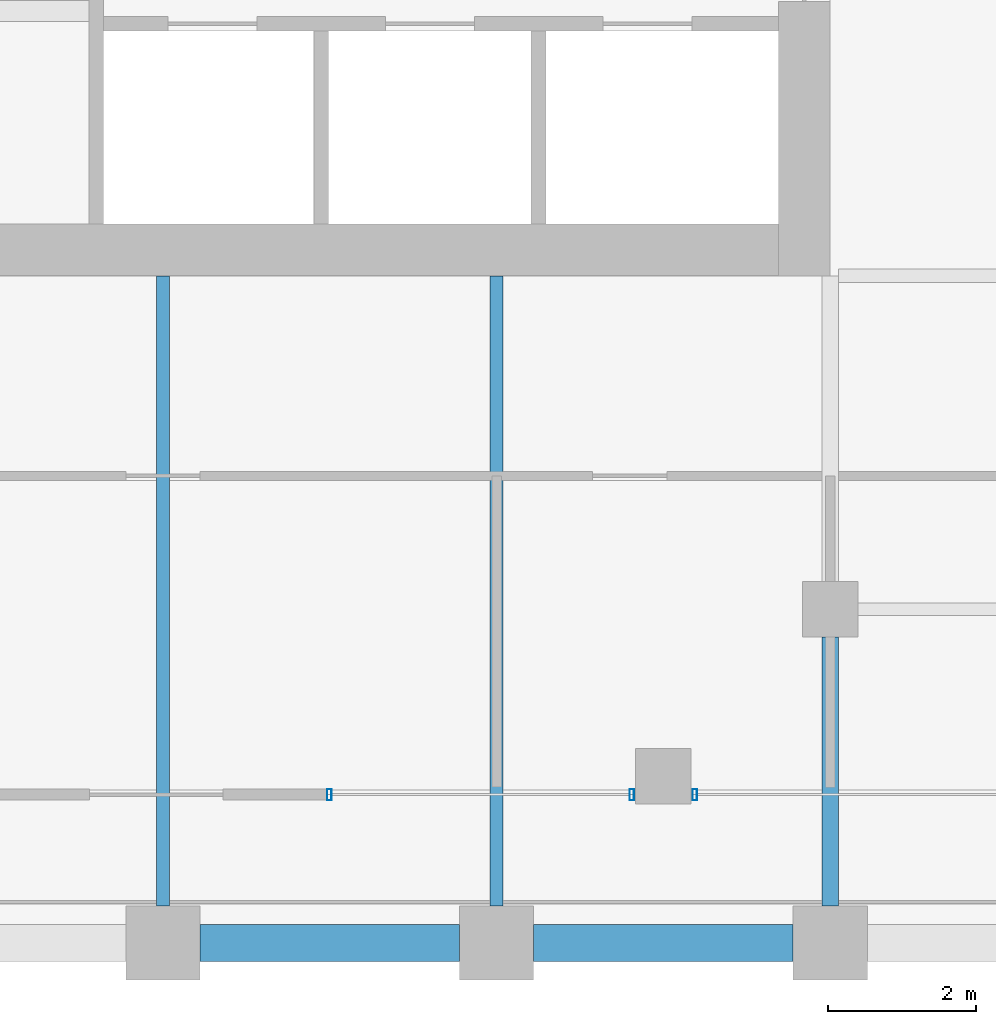
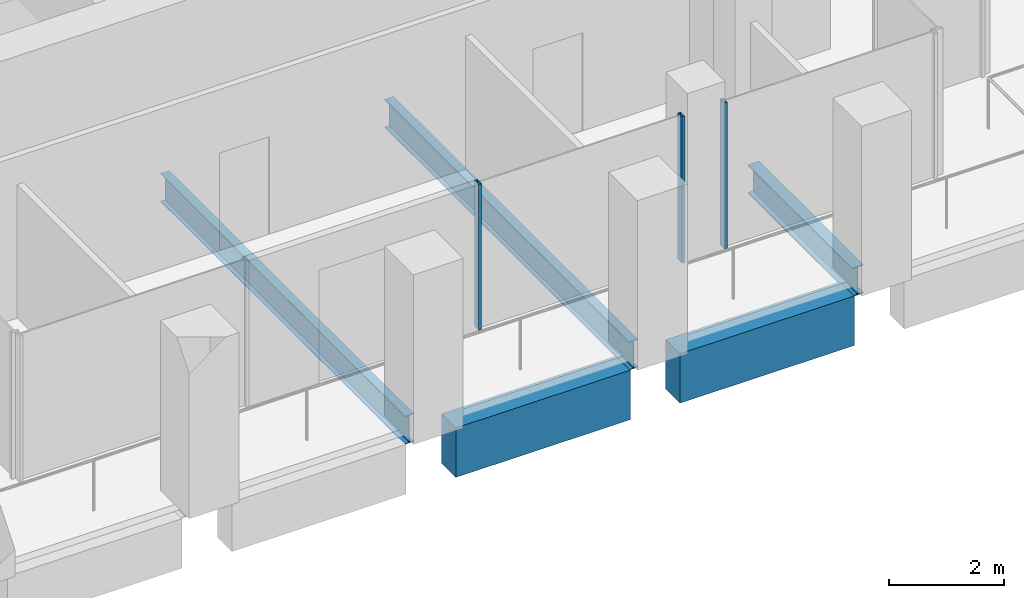
# One storey, part 31 of 47: 5 beams, 3 members, 2 elements without a shape of their own.
"""IFC4 building model written with IfcOpenShell, lengths in metres."""

from ifc_helpers import new_model, si_unit, direction, frame, origin, origin_2d, place, context, subcontext, project, spatial, rectangle, hollow_rectangle, i_section, extrude, material, material_profile, profile_set, type_object, element, aggregate, save


model = new_model("IFC4")

# Units and contexts
model_context = context("Model", 3, precision=1e-05, world=origin(), true_north=direction((0.0, 1.0)))
body_context = subcontext(model_context, "Body", "Model", "MODEL_VIEW")
ifc_project = project(units=[si_unit("LENGTHUNIT", "METRE"), si_unit("AREAUNIT", "SQUARE_METRE"), si_unit("VOLUMEUNIT", "CUBIC_METRE"), si_unit("PLANEANGLEUNIT", "RADIAN"), si_unit("MASSUNIT", "GRAM", prefix="KILO")], contexts=[model_context])

# Site, building, storey
site_placement = place(None, origin())
site = spatial("IfcSite", under=ifc_project, at=site_placement, CompositionType="ELEMENT")
building_placement = place(site_placement, origin())
building = spatial("IfcBuilding", under=site, at=building_placement, Name="Altepetl Exchange Towers", CompositionType="ELEMENT")
storey_placement = place(building_placement, frame((0.0, 0.0, 99.199951171875)))
storey = spatial("IfcBuildingStorey", under=building, at=storey_placement, Name="L24", CompositionType="ELEMENT", Elevation=99.199951171875)

# Beams
ifc_material_1 = material(Name="Steel S355", Category="steel")
ifc_material_profile_1 = material_profile(ifc_material_1, i_section(OverallWidth=0.177978515625, OverallDepth=0.59912109375, WebThickness=0.010009765625, FlangeThickness=0.0126953125, at=origin_2d()), Name="W24X55")
ifc_profile_set_1 = profile_set([ifc_material_profile_1], Name="Steel S355")
beam_type_1 = type_object("IfcBeamType", Name="Floor beam W24X55", PredefinedType="BEAM", material=ifc_profile_set_1)
for number, where, z_axis, x_axis, name in (
    (1, (108.0, 27.5, -0.449462890625), (0.0, 1.0, 0.0), (-1.0, 0.0, 0.0), "bm:B:L24:006"),
    (2, (112.5, 27.5, -0.449462890625), (0.0, 1.0, 0.0), (-1.0, 0.0, 0.0), "bm:B:L24:007"),
):
    element("IfcBeam", number, at=place(storey_placement, frame(where, z_axis=z_axis, x_axis=x_axis)), inside=storey, type_object=beam_type_1, Name=name, PredefinedType="BEAM", context=body_context, shape_type="SweptSolid", body=[
        extrude(i_section(OverallWidth=0.177978515625, OverallDepth=0.59912109375, WebThickness=0.010009765625, FlangeThickness=0.0126953125, at=origin_2d()), origin(), (0.0, 0.0, 1.0), 8.5),
    ])
ifc_material_profile_2 = material_profile(ifc_material_1, i_section(OverallWidth=0.22802734375, OverallDepth=0.60791015625, WebThickness=0.01123046875, FlangeThickness=0.017333984375, at=origin_2d()), Name="W24X76")
ifc_profile_set_2 = profile_set([ifc_material_profile_2], Name="Steel S355")
beam_type_2 = type_object("IfcBeamType", Name="Girder W24X76", PredefinedType="BEAM", material=ifc_profile_set_2)
beam_placement = place(storey_placement, frame((117.0, 31.125, -0.453857421875), z_axis=(0.0, -1.0, 0.0), x_axis=(1.0, 0.0, 0.0)))
element("IfcBeam", 3, at=beam_placement, inside=storey, type_object=beam_type_2, Name="gd:B:L24:001", PredefinedType="BEAM", context=body_context, shape_type="SweptSolid", body=[
    extrude(i_section(OverallWidth=0.22802734375, OverallDepth=0.60791015625, WebThickness=0.01123046875, FlangeThickness=0.017333984375, at=origin_2d()), origin(), (0.0, 0.0, 1.0), 3.625),
])

# Curtain wall, members
ifc_material_2 = material(Name="Aluminium 6063-T6 glazing", Category="aluminium")
curtain_wall_type = type_object("IfcCurtainWallType", Name="Loggia glazing system", PredefinedType="NOTDEFINED", material=ifc_material_2)
curtain_wall_1_placement = place(storey_placement, origin())
curtain_wall_1 = element("IfcCurtainWall", 4, at=curtain_wall_1_placement, inside=storey, type_object=curtain_wall_type, Name="CW1 run", PredefinedType="NOTDEFINED")
ifc_material_3 = material(Name="Aluminium 6063-T6", Category="aluminium")
ifc_material_profile_3 = material_profile(ifc_material_3, hollow_rectangle(XDim=0.06005859375, YDim=0.14990234375, WallThickness=0.0029296875, at=origin_2d()), Name="Mullion 60x150 aluminium")
ifc_profile_set_3 = profile_set([ifc_material_profile_3], Name="Aluminium 6063-T6")
member_type = type_object("IfcMemberType", Name="Mullion 60x150 aluminium", PredefinedType="MULLION", material=ifc_profile_set_3)
member_1_placement = place(storey_placement, frame((110.242431640625, 29.0, 0.0)))
member_1 = element("IfcMember", 5, at=member_1_placement, type_object=member_type, Name="MU1 mullion", PredefinedType="MULLION", context=body_context, shape_type="SweptSolid", body=[
    extrude(hollow_rectangle(XDim=0.06005859375, YDim=0.14990234375, WallThickness=0.0029296875, at=origin_2d()), origin(), (0.0, 0.0, 1.0), 3.10009765625),
])
member_2_placement = place(storey_placement, frame((114.324951171875, 29.0, 0.0)))
member_2 = element("IfcMember", 6, at=member_2_placement, type_object=member_type, Name="MU1 mullion", PredefinedType="MULLION", context=body_context, shape_type="SweptSolid", body=[
    extrude(hollow_rectangle(XDim=0.06005859375, YDim=0.14990234375, WallThickness=0.0029296875, at=origin_2d()), origin(), (0.0, 0.0, 1.0), 3.10009765625),
])
aggregate(curtain_wall_1, [member_1, member_2])

# Curtain wall, member
curtain_wall_2_placement = place(storey_placement, origin())
curtain_wall_2 = element("IfcCurtainWall", 7, at=curtain_wall_2_placement, inside=storey, type_object=curtain_wall_type, Name="CW1 run", PredefinedType="NOTDEFINED")
member_3_placement = place(storey_placement, frame((115.175048828125, 29.0, 0.0)))
member_3 = element("IfcMember", 8, at=member_3_placement, type_object=member_type, Name="MU1 mullion", PredefinedType="MULLION", context=body_context, shape_type="SweptSolid", body=[
    extrude(hollow_rectangle(XDim=0.06005859375, YDim=0.14990234375, WallThickness=0.0029296875, at=origin_2d()), origin(), (0.0, 0.0, 1.0), 3.10009765625),
])
aggregate(curtain_wall_2, [member_3])

# Beams
ifc_material_4 = material(Name="Concrete C50/60 precast with tezontle facing", Category="concrete")
ifc_material_profile_4 = material_profile(ifc_material_4, rectangle(XDim=0.5, YDim=1.050048828125, at=origin_2d()), Name="500 x 1050")
ifc_profile_set_4 = profile_set([ifc_material_profile_4], Name="Concrete C50/60 precast with tezontle facing")
beam_type_3 = type_object("IfcBeamType", Name="Spandrel beam 500x1050 tezontle", PredefinedType="SPANDREL", material=ifc_profile_set_4)
for number, where, z_axis, x_axis, name in (
    (9, (108.5, 27.0, -0.675048828125), (1.0, 0.0, 0.0), (0.0, 1.0, 0.0), "sp:B:L24:002"),
    (10, (113.0, 27.0, -0.675048828125), (1.0, 0.0, 0.0), (0.0, 1.0, 0.0), "sp:B:L24:003"),
):
    element("IfcBeam", number, at=place(storey_placement, frame(where, z_axis=z_axis, x_axis=x_axis)), inside=storey, type_object=beam_type_3, Name=name, PredefinedType="SPANDREL", context=body_context, shape_type="SweptSolid", body=[
        extrude(rectangle(XDim=0.5, YDim=1.050048828125, at=origin_2d()), origin(), (0.0, 0.0, 1.0), 3.5),
    ])

save(model, "model.ifc")
